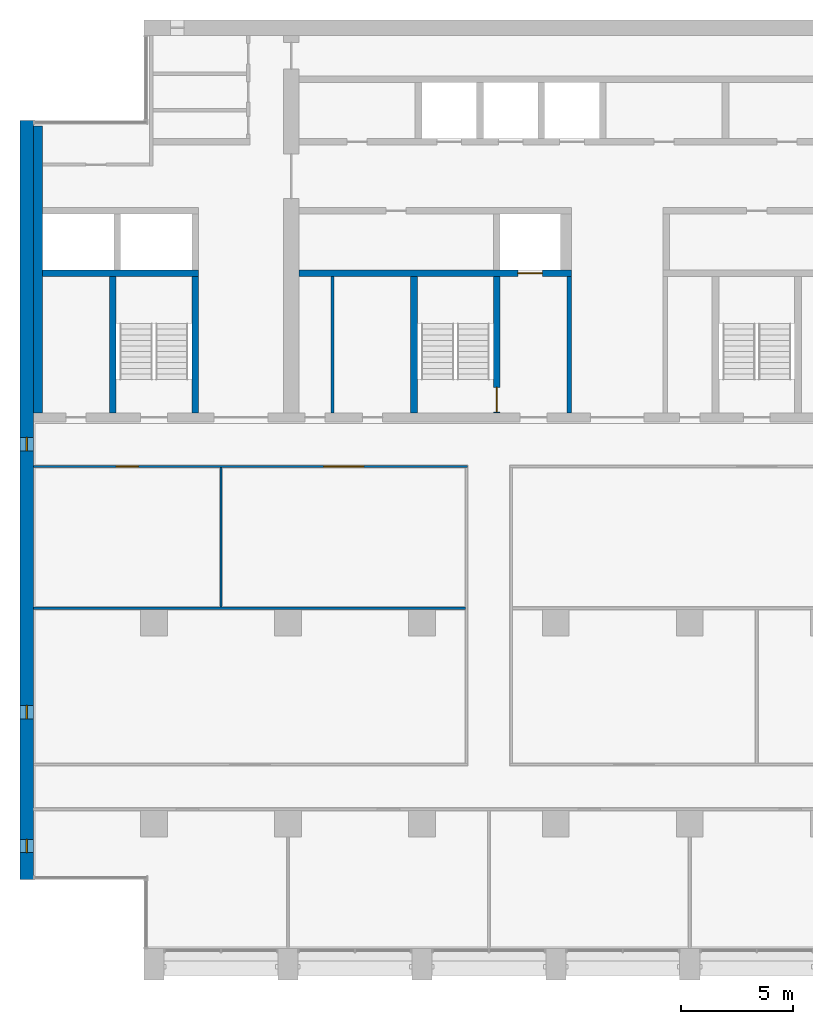
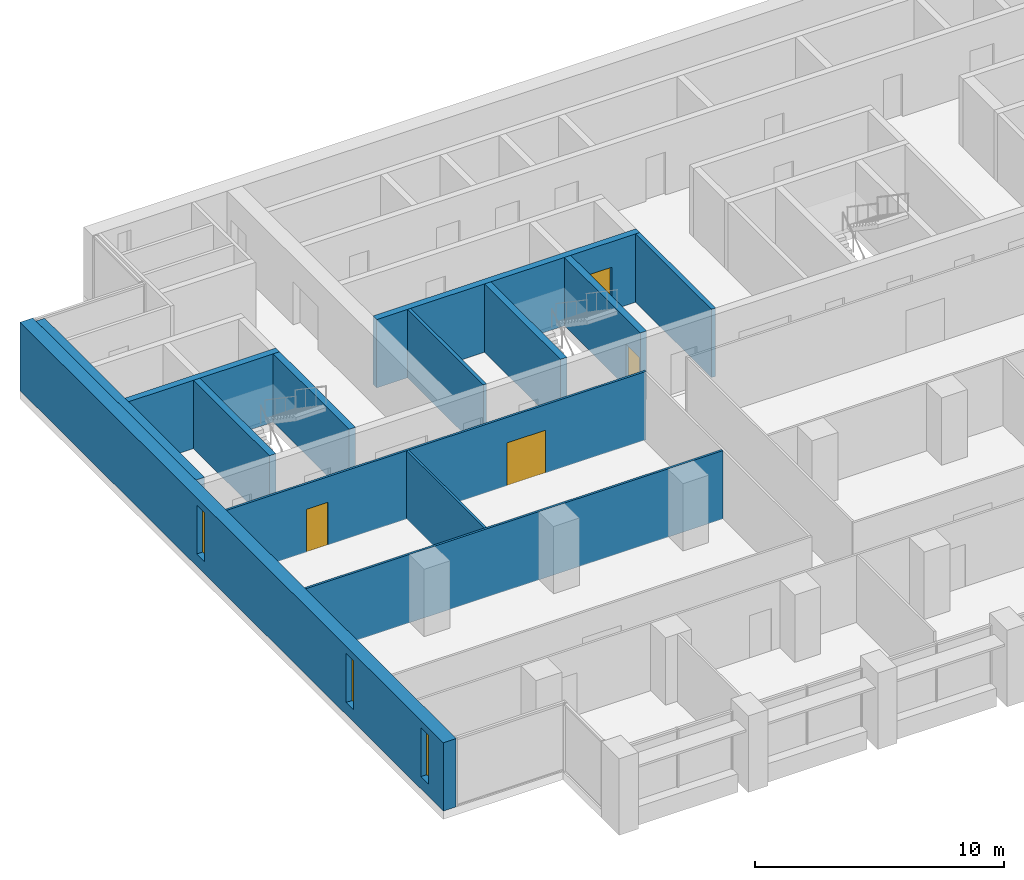
# One storey, part 8 of 17: 13 walls, 4 doors, 3 windows, 7 openings.
"""IFC4 building model written with IfcOpenShell, lengths in metres."""

from ifc_helpers import new_model, si_unit, direction, frame, frame_2d, origin, place, context, subcontext, project, spatial, rectangle, extrude, material, layer, layer_set, type_object, element, fill, save


model = new_model("IFC4")

# Units and contexts
model_context = context("Model", 3, precision=1e-05, world=origin(), true_north=direction((0.0, 1.0)))
body_context = subcontext(model_context, "Body", "Model", "MODEL_VIEW")
ifc_project = project(units=[si_unit("LENGTHUNIT", "METRE"), si_unit("AREAUNIT", "SQUARE_METRE"), si_unit("VOLUMEUNIT", "CUBIC_METRE"), si_unit("PLANEANGLEUNIT", "RADIAN"), si_unit("MASSUNIT", "GRAM", prefix="KILO")], contexts=[model_context])

# Site, building, storey
site_placement = place(None, origin())
site = spatial("IfcSite", under=ifc_project, at=site_placement, CompositionType="ELEMENT")
building_placement = place(site_placement, origin())
building = spatial("IfcBuilding", under=site, at=building_placement, Name="Calvaro Tower", CompositionType="ELEMENT")
storey_placement = place(building_placement, frame((0.0, 0.0, 170.5)))
storey = spatial("IfcBuildingStorey", under=building, at=storey_placement, Name="L42", CompositionType="ELEMENT", Elevation=170.5)

# Walls
ifc_material_1 = material(Name="Blockwork partition", Category="masonry")
ifc_layer_1 = layer(ifc_material_1, 0.14990234375)
ifc_layer_set_1 = layer_set([ifc_layer_1], Name="Blockwork partition")
wall_type_1 = type_object("IfcWallType", Name="Core partition 150 REI 120", PredefinedType="PARTITIONING", material=ifc_layer_set_1)
wall_1_placement = place(storey_placement, frame((20.0, 28.39990234375, 0.0), z_axis=(0.0, 0.0, 1.0), x_axis=(0.0, 1.0, 0.0)))
element("IfcWall", 1, at=wall_1_placement, inside=storey, type_object=wall_type_1, Name="Core partition", PredefinedType="PARTITIONING", context=body_context, shape_type="SweptSolid", body=[
    extrude(rectangle(XDim=6.10009765625, YDim=0.14990234375, at=frame_2d((3.050048828125, 0.0))), origin(), (0.0, 0.0, 1.0), 3.35009765625),
])
ifc_material_2 = material(Name="Blockwork partition", Category="masonry")
ifc_layer_2 = layer(ifc_material_2, 0.199951171875)
ifc_layer_set_2 = layer_set([ifc_layer_2], Name="Blockwork partition")
wall_type_2 = type_object("IfcWallType", Name="Core partition 200 REI 120", PredefinedType="PARTITIONING", material=ifc_layer_set_2)
wall_2_placement = place(storey_placement, frame((30.60009765625, 28.39990234375, 0.0), z_axis=(0.0, 0.0, 1.0), x_axis=(0.0, 1.0, 0.0)))
element("IfcWall", 2, at=wall_2_placement, inside=storey, type_object=wall_type_2, Name="Core partition", PredefinedType="PARTITIONING", context=body_context, shape_type="SweptSolid", body=[
    extrude(rectangle(XDim=6.10009765625, YDim=0.199951171875, at=frame_2d((3.050048828125, 0.0))), origin(), (0.0, 0.0, 1.0), 3.35009765625),
])
ifc_material_3 = material(Name="Concrete C50/60", Category="concrete")
ifc_layer_3 = layer(ifc_material_3, 0.300048828125)
ifc_layer_set_3 = layer_set([ifc_layer_3], Name="Concrete C50/60")
wall_type_3 = type_object("IfcWallType", Name="Core wall C50/60 300", PredefinedType="SHEAR", material=ifc_layer_set_3)
for number, where, z_axis, x_axis, name in (
    (3, (10.14990234375, 28.39990234375, 0.0), (0.0, 0.0, 1.0), (0.0, 1.0, 0.0), "Core wall, stair enclosure"),
    (4, (13.85009765625, 28.39990234375, 0.0), (0.0, 0.0, 1.0), (0.0, 1.0, 0.0), "Core wall, stair enclosure"),
    (5, (23.64990234375, 28.39990234375, 0.0), (0.0, 0.0, 1.0), (0.0, 1.0, 0.0), "Core wall, stair enclosure"),
):
    element("IfcWall", number, at=place(storey_placement, frame(where, z_axis=z_axis, x_axis=x_axis)), inside=storey, type_object=wall_type_3, Name=name, PredefinedType="SHEAR", context=body_context, shape_type="SweptSolid", body=[
        extrude(rectangle(XDim=6.10009765625, YDim=0.300048828125, at=frame_2d((3.050048828125, 0.0))), origin(), (0.0, 0.0, 1.0), 3.35009765625),
    ])

# Wall, opening, door
wall_3_placement = place(storey_placement, frame((27.35009765625, 28.39990234375, 0.0), z_axis=(0.0, 0.0, 1.0), x_axis=(0.0, 1.0, 0.0)))
wall_3 = element("IfcWall", 6, at=wall_3_placement, inside=storey, type_object=wall_type_3, Name="Core wall, stair enclosure", PredefinedType="SHEAR", context=body_context, shape_type="SweptSolid", body=[
    extrude(rectangle(XDim=6.10009765625, YDim=0.300048828125, at=frame_2d((3.050048828125, 0.0))), origin(), (0.0, 0.0, 1.0), 3.35009765625),
])
opening_1_placement = place(wall_3_placement, frame((0.050048828125, 0.0, 0.0)))
opening_1 = element("IfcOpeningElement", 7, at=opening_1_placement, cuts=wall_3, Name="Opening FD11D", PredefinedType="OPENING", context=body_context, shape_type="SweptSolid", body=[
    extrude(rectangle(XDim=1.10009765625, YDim=2.10009765625, at=frame_2d((0.550048828125, 1.050048828125))), frame((0.0, 0.159912109375, 0.0), z_axis=(0.0, -1.0, 0.0), x_axis=(1.0, 0.0, 0.0)), (0.0, 0.0, 1.0), 0.320068359375),
])
ifc_material_4 = material(Name="Steel door set", Category="steel")
door_type_1 = type_object("IfcDoorType", Name="Fire door 1100 FD30S", OperationType="SINGLE_SWING_LEFT", PredefinedType="DOOR", material=ifc_material_4)
door_1_placement = place(opening_1_placement, origin())
door_1 = element("IfcDoor", 8, at=door_1_placement, inside=storey, type_object=door_type_1, Name="Fire door", OperationType="SINGLE_SWING_LEFT", OverallHeight=2.10009765625, OverallWidth=1.10009765625, PredefinedType="DOOR", context=body_context, shape_type="SweptSolid", body=[
    extrude(rectangle(XDim=1.10009765625, YDim=2.10009765625, at=frame_2d((0.550048828125, 1.050048828125))), frame((0.0, 0.02490234375, 0.0), z_axis=(0.0, -1.0, 0.0), x_axis=(1.0, 0.0, 0.0)), (0.0, 0.0, 1.0), 0.050048828125),
])
fill(opening_1, door_1)

# Wall
wall_4_placement = place(storey_placement, frame((7.0, 34.64990234375, 0.0), z_axis=(0.0, 0.0, 1.0), x_axis=(1.0, 0.0, 0.0)))
element("IfcWall", 9, at=wall_4_placement, inside=storey, type_object=wall_type_3, Name="Core wall, lift shaft", PredefinedType="SHEAR", context=body_context, shape_type="SweptSolid", body=[
    extrude(rectangle(XDim=7.0, YDim=0.300048828125, at=frame_2d((3.5, 0.0))), origin(), (0.0, 0.0, 1.0), 3.35009765625),
])

# Wall, opening, door
wall_5_placement = place(storey_placement, frame((18.5, 34.64990234375, 0.0), z_axis=(0.0, 0.0, 1.0), x_axis=(1.0, 0.0, 0.0)))
wall_5 = element("IfcWall", 10, at=wall_5_placement, inside=storey, type_object=wall_type_3, Name="Core wall, lift shaft", PredefinedType="SHEAR", context=body_context, shape_type="SweptSolid", body=[
    extrude(rectangle(XDim=12.199951171875, YDim=0.300048828125, at=frame_2d((6.10009765625, 0.0))), origin(), (0.0, 0.0, 1.0), 3.35009765625),
])
opening_2_placement = place(wall_5_placement, frame((9.800048828125, 0.0, 0.0)))
opening_2 = element("IfcOpeningElement", 11, at=opening_2_placement, cuts=wall_5, Name="Opening FF1", PredefinedType="OPENING", context=body_context, shape_type="SweptSolid", body=[
    extrude(rectangle(XDim=1.10009765625, YDim=2.10009765625, at=frame_2d((0.550048828125, 1.050048828125))), frame((0.0, 0.159912109375, 0.0), z_axis=(0.0, -1.0, 0.0), x_axis=(1.0, 0.0, 0.0)), (0.0, 0.0, 1.0), 0.320068359375),
])
ifc_material_5 = material(Name="Stainless steel", Category="steel")
door_type_2 = type_object("IfcDoorType", Name="Landing door 1100 E 60", OperationType="SLIDING_TO_LEFT", PredefinedType="DOOR", material=ifc_material_5)
door_2_placement = place(opening_2_placement, origin())
door_2 = element("IfcDoor", 12, at=door_2_placement, inside=storey, type_object=door_type_2, Name="Landing door FF1", OperationType="SLIDING_TO_LEFT", OverallHeight=2.10009765625, OverallWidth=1.10009765625, PredefinedType="DOOR", context=body_context, shape_type="SweptSolid", body=[
    extrude(rectangle(XDim=1.10009765625, YDim=2.10009765625, at=frame_2d((0.550048828125, 1.050048828125))), frame((0.0, 0.02490234375, 0.0), z_axis=(0.0, -1.0, 0.0), x_axis=(1.0, 0.0, 0.0)), (0.0, 0.0, 1.0), 0.050048828125),
])
fill(opening_2, door_2)

# Wall
ifc_material_6 = material(Name="Concrete C50/60", Category="concrete")
ifc_layer_4 = layer(ifc_material_6, 0.39990234375)
ifc_layer_set_4 = layer_set([ifc_layer_4], Name="Concrete C50/60")
wall_type_4 = type_object("IfcWallType", Name="Core wall C50/60 400", PredefinedType="SHEAR", material=ifc_layer_set_4)
wall_6_placement = place(storey_placement, frame((6.800048828125, 28.39990234375, 0.0), z_axis=(0.0, 0.0, 1.0), x_axis=(0.0, 1.0, 0.0)))
element("IfcWall", 13, at=wall_6_placement, inside=storey, type_object=wall_type_4, Name="Core wall, boundary", PredefinedType="SHEAR", context=body_context, shape_type="SweptSolid", body=[
    extrude(rectangle(XDim=12.85009765625, YDim=0.39990234375, at=frame_2d((6.425048828125, 0.0))), origin(), (0.0, 0.0, 1.0), 3.35009765625),
])

# Wall, openings, windows
ifc_material_7 = material(Name="Concrete C50/60", Category="concrete")
ifc_layer_5 = layer(ifc_material_7, 0.60009765625)
ifc_layer_set_5 = layer_set([ifc_layer_5], Name="Concrete C50/60")
wall_type_5 = type_object("IfcWallType", Name="End wall 600 C50/60", PredefinedType="SHEAR", material=ifc_layer_set_5)
wall_7_placement = place(storey_placement, frame((6.300048828125, 7.5, 0.0), z_axis=(0.0, 0.0, 1.0), x_axis=(0.0, 1.0, 0.0)))
wall_7 = element("IfcWall", 14, at=wall_7_placement, inside=storey, type_object=wall_type_5, Name="End shear wall", PredefinedType="SHEAR", context=body_context, shape_type="SweptSolid", body=[
    extrude(rectangle(XDim=34.0, YDim=0.60009765625, at=frame_2d((17.0, 0.0))), origin(), (0.0, 0.0, 1.0), 3.35009765625),
])
opening_3_placement = place(wall_7_placement, frame((1.199951171875, 0.0, 0.60009765625)))
opening_3 = element("IfcOpeningElement", 15, at=opening_3_placement, cuts=wall_7, Name="Opening WW01", PredefinedType="OPENING", context=body_context, shape_type="SweptSolid", body=[
    extrude(rectangle(XDim=0.60009765625, YDim=2.39990234375, at=frame_2d((0.300048828125, 1.199951171875))), frame((0.0, 0.31005859375, 0.0), z_axis=(0.0, -1.0, 0.0), x_axis=(1.0, 0.0, 0.0)), (0.0, 0.0, 1.0), 0.6201171875),
])
opening_4_placement = place(wall_7_placement, frame((7.199951171875, 0.0, 0.60009765625)))
opening_4 = element("IfcOpeningElement", 16, at=opening_4_placement, cuts=wall_7, Name="Opening WW02", PredefinedType="OPENING", context=body_context, shape_type="SweptSolid", body=[
    extrude(rectangle(XDim=0.60009765625, YDim=2.39990234375, at=frame_2d((0.300048828125, 1.199951171875))), frame((0.0, 0.31005859375, 0.0), z_axis=(0.0, -1.0, 0.0), x_axis=(1.0, 0.0, 0.0)), (0.0, 0.0, 1.0), 0.6201171875),
])
opening_5_placement = place(wall_7_placement, frame((19.199951171875, 0.0, 0.60009765625)))
opening_5 = element("IfcOpeningElement", 17, at=opening_5_placement, cuts=wall_7, Name="Opening WW04", PredefinedType="OPENING", context=body_context, shape_type="SweptSolid", body=[
    extrude(rectangle(XDim=0.60009765625, YDim=2.39990234375, at=frame_2d((0.300048828125, 1.199951171875))), frame((0.0, 0.31005859375, 0.0), z_axis=(0.0, -1.0, 0.0), x_axis=(1.0, 0.0, 0.0)), (0.0, 0.0, 1.0), 0.6201171875),
])
ifc_material_8 = material(Name="Glass", Category="glass")
window_type = type_object("IfcWindowType", Name="Slit window 600 x 2400", PartitioningType="SINGLE_PANEL", PredefinedType="WINDOW", material=ifc_material_8)
window_1_placement = place(opening_3_placement, origin())
window_1 = element("IfcWindow", 18, at=window_1_placement, inside=storey, type_object=window_type, Name="Window WW01", OverallHeight=2.39990234375, OverallWidth=0.60009765625, PartitioningType="SINGLE_PANEL", PredefinedType="WINDOW", context=body_context, shape_type="SweptSolid", body=[
    extrude(rectangle(XDim=0.60009765625, YDim=2.39990234375, at=frame_2d((0.300048828125, 1.199951171875))), frame((0.0, 0.030029296875, 0.0), z_axis=(0.0, -1.0, 0.0), x_axis=(1.0, 0.0, 0.0)), (0.0, 0.0, 1.0), 0.06005859375),
])
fill(opening_3, window_1)
window_2_placement = place(opening_4_placement, origin())
window_2 = element("IfcWindow", 19, at=window_2_placement, inside=storey, type_object=window_type, Name="Window WW02", OverallHeight=2.39990234375, OverallWidth=0.60009765625, PartitioningType="SINGLE_PANEL", PredefinedType="WINDOW", context=body_context, shape_type="SweptSolid", body=[
    extrude(rectangle(XDim=0.60009765625, YDim=2.39990234375, at=frame_2d((0.300048828125, 1.199951171875))), frame((0.0, 0.030029296875, 0.0), z_axis=(0.0, -1.0, 0.0), x_axis=(1.0, 0.0, 0.0)), (0.0, 0.0, 1.0), 0.06005859375),
])
fill(opening_4, window_2)
window_3_placement = place(opening_5_placement, origin())
window_3 = element("IfcWindow", 20, at=window_3_placement, inside=storey, type_object=window_type, Name="Window WW04", OverallHeight=2.39990234375, OverallWidth=0.60009765625, PartitioningType="SINGLE_PANEL", PredefinedType="WINDOW", context=body_context, shape_type="SweptSolid", body=[
    extrude(rectangle(XDim=0.60009765625, YDim=2.39990234375, at=frame_2d((0.300048828125, 1.199951171875))), frame((0.0, 0.030029296875, 0.0), z_axis=(0.0, -1.0, 0.0), x_axis=(1.0, 0.0, 0.0)), (0.0, 0.0, 1.0), 0.06005859375),
])
fill(opening_5, window_3)

# Wall
ifc_material_9 = material(Name="Plasterboard on steel studs", Category="steel")
ifc_layer_6 = layer(ifc_material_9, 0.10009765625)
ifc_layer_set_6 = layer_set([ifc_layer_6], Name="Plasterboard on steel studs")
wall_type_6 = type_object("IfcWallType", Name="Partition 100", PredefinedType="PARTITIONING", material=ifc_layer_set_6)
wall_8_placement = place(storey_placement, frame((6.60009765625, 19.64990234375, 0.0), z_axis=(0.0, 0.0, 1.0), x_axis=(1.0, 0.0, 0.0)))
element("IfcWall", 21, at=wall_8_placement, inside=storey, type_object=wall_type_6, Name="Partition T25.W005", PredefinedType="PARTITIONING", context=body_context, shape_type="SweptSolid", body=[
    extrude(rectangle(XDim=19.349853515625, YDim=0.10009765625, at=frame_2d((9.6748046875, 0.0))), origin(), (0.0, 0.0, 1.0), 3.35009765625),
])

# Wall, openings, doors
ifc_material_10 = material(Name="Plasterboard on steel studs", Category="steel")
ifc_layer_7 = layer(ifc_material_10, 0.10009765625)
ifc_layer_set_7 = layer_set([ifc_layer_7], Name="Plasterboard on steel studs")
wall_type_7 = type_object("IfcWallType", Name="Partition 100 REI 120", PredefinedType="PARTITIONING", material=ifc_layer_set_7)
wall_9_placement = place(storey_placement, frame((6.60009765625, 26.0, 0.0), z_axis=(0.0, 0.0, 1.0), x_axis=(1.0, 0.0, 0.0)))
wall_9 = element("IfcWall", 22, at=wall_9_placement, inside=storey, type_object=wall_type_7, Name="Partition T25.W008", PredefinedType="PARTITIONING", context=body_context, shape_type="SweptSolid", body=[
    extrude(rectangle(XDim=19.449951171875, YDim=0.10009765625, at=frame_2d((9.72509765625, 0.0))), origin(), (0.0, 0.0, 1.0), 3.35009765625),
])
opening_6_placement = place(wall_9_placement, frame((3.699951171875, 0.0, 0.0)))
opening_6 = element("IfcOpeningElement", 23, at=opening_6_placement, cuts=wall_9, Name="Opening T25.012", PredefinedType="OPENING", context=body_context, shape_type="SweptSolid", body=[
    extrude(rectangle(XDim=1.0, YDim=2.10009765625, at=frame_2d((0.5, 1.050048828125))), frame((0.0, 0.06005859375, 0.0), z_axis=(0.0, -1.0, 0.0), x_axis=(1.0, 0.0, 0.0)), (0.0, 0.0, 1.0), 0.1201171875),
])
opening_7_placement = place(wall_9_placement, frame((13.0, 0.0, 0.0)))
opening_7 = element("IfcOpeningElement", 24, at=opening_7_placement, cuts=wall_9, Name="Opening T25.013", PredefinedType="OPENING", context=body_context, shape_type="SweptSolid", body=[
    extrude(rectangle(XDim=1.800048828125, YDim=2.10009765625, at=frame_2d((0.89990234375, 1.050048828125))), frame((0.0, 0.06005859375, 0.0), z_axis=(0.0, -1.0, 0.0), x_axis=(1.0, 0.0, 0.0)), (0.0, 0.0, 1.0), 0.1201171875),
])
ifc_material_11 = material(Name="Timber", Category="wood")
door_type_3 = type_object("IfcDoorType", Name="Internal double door 1800 x 2100", OperationType="DOUBLE_DOOR_SINGLE_SWING", PredefinedType="DOOR", material=ifc_material_11)
door_3_placement = place(opening_7_placement, origin())
door_3 = element("IfcDoor", 25, at=door_3_placement, inside=storey, type_object=door_type_3, Name="Door T25.013", OperationType="DOUBLE_DOOR_SINGLE_SWING", OverallHeight=2.10009765625, OverallWidth=1.800048828125, PredefinedType="DOOR", context=body_context, shape_type="SweptSolid", body=[
    extrude(rectangle(XDim=1.800048828125, YDim=2.10009765625, at=frame_2d((0.89990234375, 1.050048828125))), frame((0.0, 0.02490234375, 0.0), z_axis=(0.0, -1.0, 0.0), x_axis=(1.0, 0.0, 0.0)), (0.0, 0.0, 1.0), 0.050048828125),
])
fill(opening_7, door_3)
ifc_material_12 = material(Name="Timber", Category="wood")
door_type_4 = type_object("IfcDoorType", Name="Internal single door 1000 x 2100 FD60", OperationType="SINGLE_SWING_LEFT", PredefinedType="DOOR", material=ifc_material_12)
door_4_placement = place(opening_6_placement, origin())
door_4 = element("IfcDoor", 26, at=door_4_placement, inside=storey, type_object=door_type_4, Name="Door T25.012", OperationType="SINGLE_SWING_LEFT", OverallHeight=2.10009765625, OverallWidth=1.0, PredefinedType="DOOR", context=body_context, shape_type="SweptSolid", body=[
    extrude(rectangle(XDim=1.0, YDim=2.10009765625, at=frame_2d((0.5, 1.050048828125))), frame((0.0, 0.02490234375, 0.0), z_axis=(0.0, -1.0, 0.0), x_axis=(1.0, 0.0, 0.0)), (0.0, 0.0, 1.0), 0.050048828125),
])
fill(opening_6, door_4)

# Wall
wall_10_placement = place(storey_placement, frame((15.0, 19.699951171875, 0.0), z_axis=(0.0, 0.0, 1.0), x_axis=(0.0, 1.0, 0.0)))
element("IfcWall", 27, at=wall_10_placement, inside=storey, type_object=wall_type_7, Name="Partition T25.W012", PredefinedType="PARTITIONING", context=body_context, shape_type="SweptSolid", body=[
    extrude(rectangle(XDim=6.25, YDim=0.10009765625, at=frame_2d((3.125, 0.0))), origin(), (0.0, 0.0, 1.0), 3.35009765625),
])

save(model, "model.ifc")
